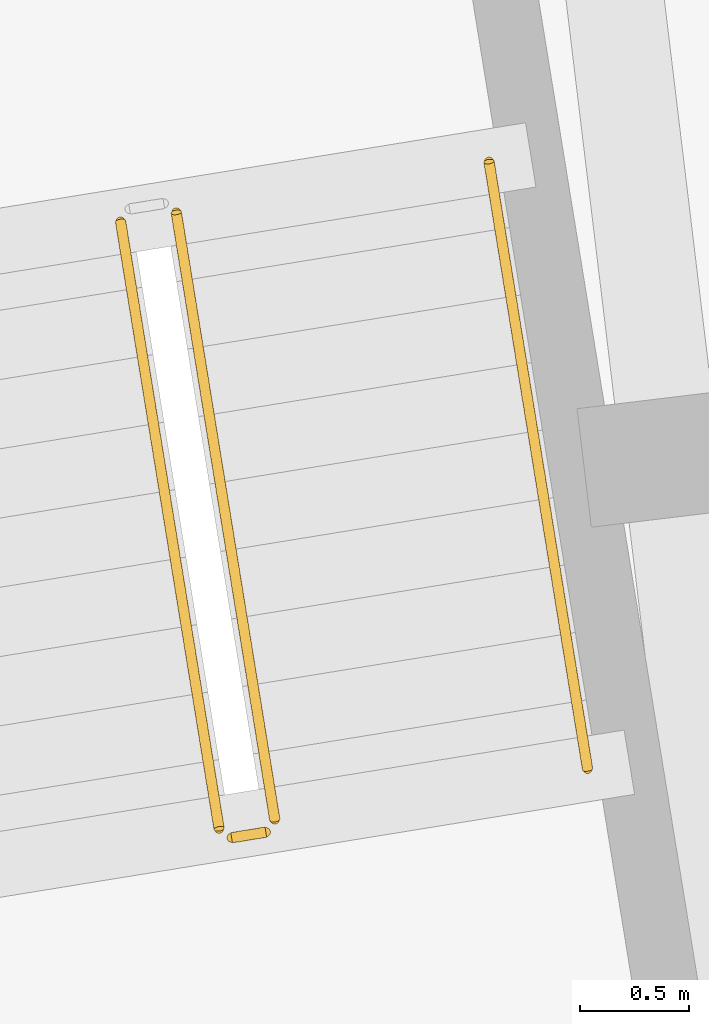
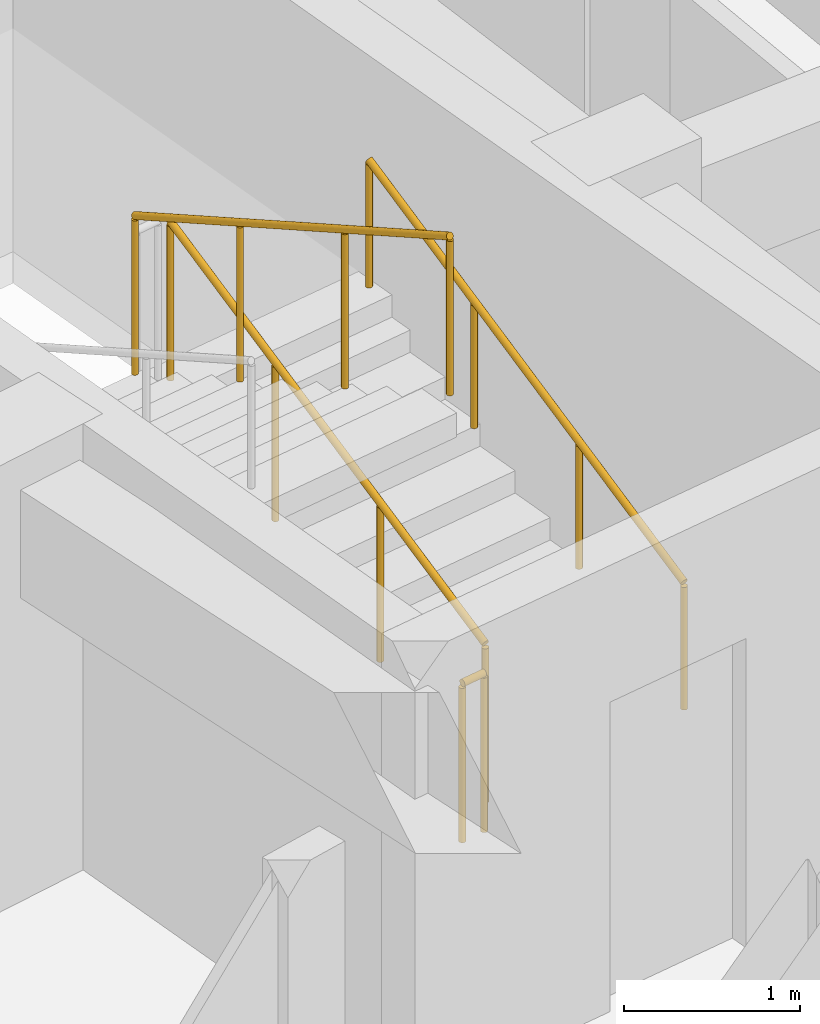
# One storey, part 44 of 56: 4 railings.
"""IFC4 building model written with IfcOpenShell, lengths in metres."""

from ifc_helpers import new_model, si_unit, direction, frame, origin, origin_2d, place, context, subcontext, project, spatial, circle, extrude, material, type_object, element, save


model = new_model("IFC4")

# Units and contexts
model_context = context("Model", 3, precision=1e-05, world=origin(), true_north=direction((0.0, 1.0)))
body_context = subcontext(model_context, "Body", "Model", "MODEL_VIEW")
ifc_project = project(units=[si_unit("LENGTHUNIT", "METRE"), si_unit("AREAUNIT", "SQUARE_METRE"), si_unit("VOLUMEUNIT", "CUBIC_METRE"), si_unit("PLANEANGLEUNIT", "RADIAN"), si_unit("MASSUNIT", "GRAM", prefix="KILO")], contexts=[model_context])

# Site, building, storey
site_placement = place(None, origin())
site = spatial("IfcSite", under=ifc_project, at=site_placement, CompositionType="ELEMENT")
building_placement = place(site_placement, origin())
building = spatial("IfcBuilding", under=site, at=building_placement, Name="Zimvara Arc Housing Community", CompositionType="ELEMENT")
storey_placement = place(building_placement, frame((0.0, 0.0, 11.199951171875)))
storey = spatial("IfcBuildingStorey", under=building, at=storey_placement, Name="L03", CompositionType="ELEMENT", Elevation=11.199951171875)

# Railings
ifc_material_1 = material(Name="Anodised Aluminium AW-6063", Category="aluminium")
railing_type_1 = type_object("IfcRailingType", Name="RLG-BAL-1120", PredefinedType="BALUSTRADE", material=ifc_material_1)
railing_1_placement = place(storey_placement, frame((36.732421875, 96.243896484375, 0.155029296875)))
element("IfcRailing", 1, at=railing_1_placement, inside=storey, type_object=railing_type_1, Name="L03 ST-A2 stair guard 1", PredefinedType="BALUSTRADE", context=body_context, shape_type="SweptSolid", body=[
    extrude(circle(Radius=0.02392578125, at=origin_2d()), frame((0.0, 0.0, 1.09619140625), z_axis=(-0.143721784145, 0.885666177347, 0.441519502474), x_axis=(-0.987087819028, -0.160180016, 0.0)), (0.0, 0.0, 1.0), 3.15966796875),
    extrude(circle(Radius=0.02099609375, at=origin_2d()), origin(), (0.0, 0.0, 1.0), 1.072021484375),
    extrude(circle(Radius=0.02099609375, at=origin_2d()), frame((-0.1513671875, 0.932861328125, 0.465087890625)), (0.0, 0.0, 1.0), 1.072021484375),
    extrude(circle(Radius=0.02099609375, at=origin_2d()), frame((-0.302734375, 1.865478515625, 0.929931640625)), (0.0, 0.0, 1.0), 1.072021484375),
    extrude(circle(Radius=0.02099609375, at=origin_2d()), frame((-0.4541015625, 2.79833984375, 1.39501953125)), (0.0, 0.0, 1.0), 1.072021484375),
])
railing_2_placement = place(storey_placement, frame((36.021728515625, 99.00048828125, 1.705078125)))
element("IfcRailing", 2, at=railing_2_placement, inside=storey, type_object=railing_type_1, Name="L03 ST-A2 stair guard 3", PredefinedType="BALUSTRADE", context=body_context, shape_type="SweptSolid", body=[
    extrude(circle(Radius=0.02392578125, at=origin_2d()), frame((0.0, 0.0, 1.09619140625), z_axis=(0.143721784145, -0.885666177347, 0.441519502474), x_axis=(0.987087819028, 0.160180016, 0.0)), (0.0, 0.0, 1.0), 3.15966796875),
    extrude(circle(Radius=0.02099609375, at=origin_2d()), origin(), (0.0, 0.0, 1.0), 1.072021484375),
    extrude(circle(Radius=0.02099609375, at=origin_2d()), frame((0.1513671875, -0.932861328125, 0.465087890625)), (0.0, 0.0, 1.0), 1.072021484375),
    extrude(circle(Radius=0.02099609375, at=origin_2d()), frame((0.302734375, -1.865478515625, 0.929931640625)), (0.0, 0.0, 1.0), 1.072021484375),
    extrude(circle(Radius=0.02099609375, at=origin_2d()), frame((0.4541015625, -2.79833984375, 1.39501953125)), (0.0, 0.0, 1.0), 1.072021484375),
])
railing_3_placement = place(storey_placement, frame((36.691162109375, 96.1865234375, 0.0)))
element("IfcRailing", 3, at=railing_3_placement, inside=storey, type_object=railing_type_1, Name="L03 ST-A2 stair guard 4", PredefinedType="BALUSTRADE", context=body_context, shape_type="SweptSolid", body=[
    extrude(circle(Radius=0.02392578125, at=origin_2d()), frame((0.0, 0.0, 1.09619140625), z_axis=(-0.987085924886, -0.160191687964, 0.0), x_axis=(0.160191687964, -0.987085924886, 0.0)), (0.0, 0.0, 1.0), 0.159912109375),
    extrude(circle(Radius=0.02099609375, at=origin_2d()), origin(), (0.0, 0.0, 1.0), 1.072021484375),
    extrude(circle(Radius=0.02099609375, at=origin_2d()), frame((-0.157958984375, -0.025634765625, 0.0)), (0.0, 0.0, 1.0), 1.072021484375),
])
ifc_material_2 = material(Name="Anodised Aluminium AW-6063", Category="aluminium")
railing_type_2 = type_object("IfcRailingType", Name="RLG-HND-900", PredefinedType="HANDRAIL", material=ifc_material_2)
railing_4_placement = place(storey_placement, frame((38.173583984375, 96.477783203125, 0.155029296875)))
element("IfcRailing", 4, at=railing_4_placement, inside=storey, type_object=railing_type_2, Name="L03 ST-A2 stair handrail 1", PredefinedType="HANDRAIL", context=body_context, shape_type="SweptSolid", body=[
    extrude(circle(Radius=0.02392578125, at=origin_2d()), frame((0.0, 0.0, 0.8759765625), z_axis=(-0.143721784145, 0.885666177347, 0.441519502474), x_axis=(-0.987087819028, -0.160180016, 0.0)), (0.0, 0.0, 1.0), 3.15966796875),
    extrude(circle(Radius=0.02099609375, at=origin_2d()), origin(), (0.0, 0.0, 1.0), 0.851806640625),
    extrude(circle(Radius=0.02099609375, at=origin_2d()), frame((-0.1513671875, 0.932861328125, 0.465087890625)), (0.0, 0.0, 1.0), 0.851806640625),
    extrude(circle(Radius=0.02099609375, at=origin_2d()), frame((-0.302734375, 1.865478515625, 0.929931640625)), (0.0, 0.0, 1.0), 0.851806640625),
    extrude(circle(Radius=0.02099609375, at=origin_2d()), frame((-0.4541015625, 2.79833984375, 1.39501953125)), (0.0, 0.0, 1.0), 0.851806640625),
])

save(model, "model.ifc")
